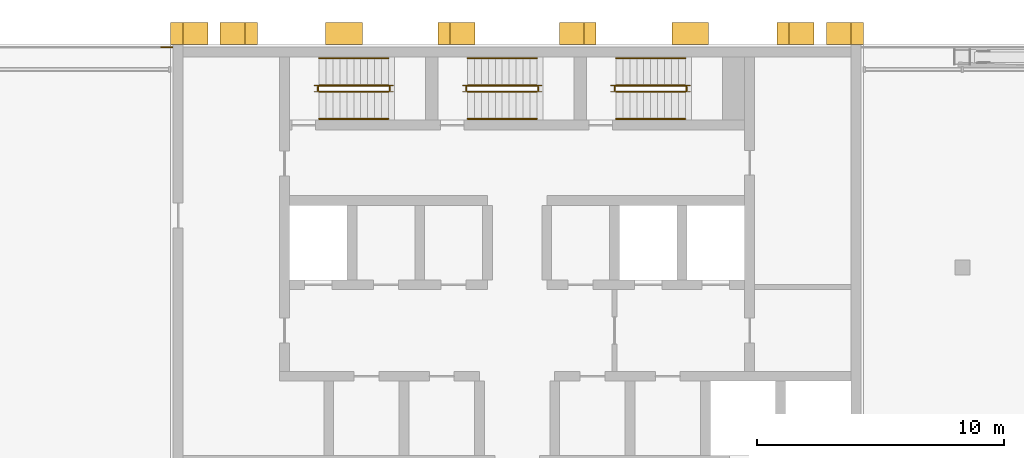
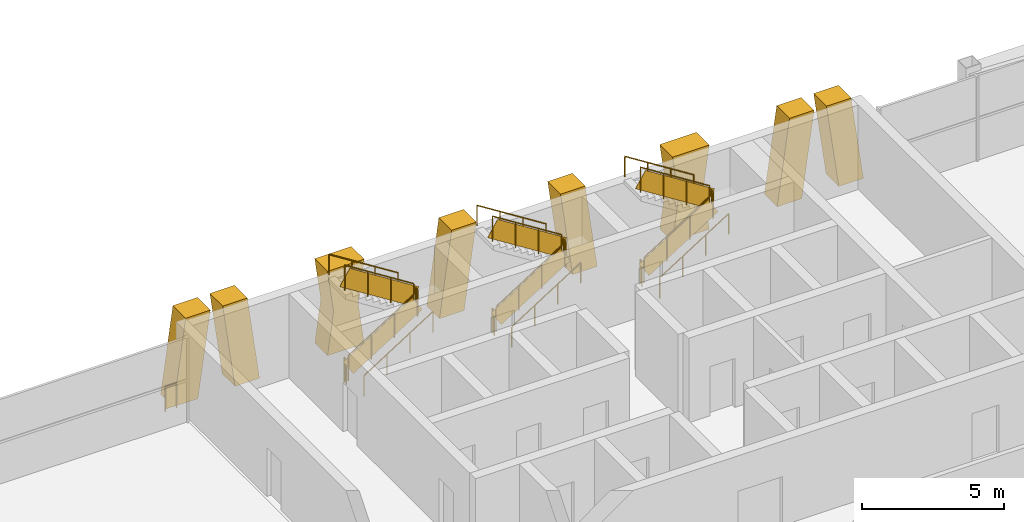
# One storey, part 20 of 21: 19 railings, 8 shading devices.
"""IFC4 building model written with IfcOpenShell, lengths in metres."""

from ifc_helpers import new_model, si_unit, direction, frame, origin, origin_2d, place, context, subcontext, project, spatial, polyline, rectangle, circle, outline, extrude, material, layer, layer_set, type_object, element, save


model = new_model("IFC4")

# Units and contexts
model_context = context("Model", 3, precision=1e-05, world=origin(), true_north=direction((0.0, 1.0)))
body_context = subcontext(model_context, "Body", "Model", "MODEL_VIEW")
ifc_project = project(units=[si_unit("LENGTHUNIT", "METRE"), si_unit("AREAUNIT", "SQUARE_METRE"), si_unit("VOLUMEUNIT", "CUBIC_METRE"), si_unit("PLANEANGLEUNIT", "RADIAN"), si_unit("MASSUNIT", "GRAM", prefix="KILO")], contexts=[model_context])

# Site, building, storey
site_placement = place(None, origin())
site = spatial("IfcSite", under=ifc_project, at=site_placement, CompositionType="ELEMENT")
building_placement = place(site_placement, origin())
building = spatial("IfcBuilding", under=site, at=building_placement, Name="Vidyagriha Tower", CompositionType="ELEMENT")
storey_placement = place(building_placement, frame((0.0, 0.0, 203.699951171875)))
storey = spatial("IfcBuildingStorey", under=building, at=storey_placement, Name="L52", CompositionType="ELEMENT", Elevation=203.699951171875)

# Shading devices
ifc_material_1 = material(Name="Precast concrete C40/50 with brick facing", Category="concrete")
ifc_layer_1 = layer(ifc_material_1, 1.0)
ifc_layer_set_1 = layer_set([ifc_layer_1], Name="Precast concrete C40/50 with brick facing")
shading_device_type_1 = type_object("IfcShadingDeviceType", Name="Brick-faced rear rib arm leaning 8 degrees", PredefinedType="USERDEFINED", material=ifc_layer_set_1)
shading_device_1_placement = place(storey_placement, frame((14.0, 20.449951171875, 0.0), z_axis=(0.0, 0.0, 1.0), x_axis=(-1.0, 0.0, 0.0)))
element("IfcShadingDevice", 1, at=shading_device_1_placement, inside=storey, type_object=shading_device_type_1, Name="Rear rib arm L52 R08.1a", ObjectType="BLADE FIN", PredefinedType="USERDEFINED", context=body_context, shape_type="SweptSolid", body=[
    extrude(outline(polyline([(0.0, 0.0), (1.0, 0.0), (1.5, 3.6201171875), (0.5, 3.6201171875), (0.0, 0.0)])), frame((0.0, 0.449951171875, 0.0), z_axis=(0.0, -1.0, 0.0), x_axis=(1.0, 0.0, 0.0)), (0.0, 0.0, 1.0), 0.89990234375),
])
shading_device_2_placement = place(storey_placement, frame((12.0, 20.449951171875, 0.0), z_axis=(0.0, 0.0, 1.0), x_axis=(-1.0, 0.0, 0.0)))
element("IfcShadingDevice", 2, at=shading_device_2_placement, inside=storey, type_object=shading_device_type_1, Name="Rear rib arm L52 R08.1b", ObjectType="BLADE FIN", PredefinedType="USERDEFINED", context=body_context, shape_type="SweptSolid", body=[
    extrude(outline(polyline([(0.5, 0.0), (1.5, 0.0), (1.0, 3.6201171875), (0.0, 3.6201171875), (0.5, 0.0)])), frame((0.0, 0.449951171875, 0.0), z_axis=(0.0, -1.0, 0.0), x_axis=(1.0, 0.0, 0.0)), (0.0, 0.0, 1.0), 0.89990234375),
])
shading_device_3_placement = place(storey_placement, frame((3.199951171875, 20.449951171875, 0.0), z_axis=(0.0, 0.0, 1.0), x_axis=(-1.0, 0.0, 0.0)))
element("IfcShadingDevice", 3, at=shading_device_3_placement, inside=storey, type_object=shading_device_type_1, Name="Rear rib arm L52 R08.3a", ObjectType="BLADE FIN", PredefinedType="USERDEFINED", context=body_context, shape_type="SweptSolid", body=[
    extrude(outline(polyline([(0.0, 0.0), (1.0, 0.0), (1.490966796875, 3.6201171875), (0.490966796875, 3.6201171875), (0.0, 0.0)])), frame((0.0, 0.449951171875, 0.0), z_axis=(0.0, -1.0, 0.0), x_axis=(1.0, 0.0, 0.0)), (0.0, 0.0, 1.0), 0.89990234375),
])
shading_device_4_placement = place(storey_placement, frame((-1.708984375, 20.449951171875, 0.0), z_axis=(0.0, 0.0, 1.0), x_axis=(-1.0, 0.0, 0.0)))
element("IfcShadingDevice", 4, at=shading_device_4_placement, inside=storey, type_object=shading_device_type_1, Name="Rear rib arm L52 R08.3b", ObjectType="BLADE FIN", PredefinedType="USERDEFINED", context=body_context, shape_type="SweptSolid", body=[
    extrude(outline(polyline([(0.490966796875, 0.0), (1.490966796875, 0.0), (1.0, 3.6201171875), (0.0, 3.6201171875), (0.490966796875, 0.0)])), frame((0.0, 0.449951171875, 0.0), z_axis=(0.0, -1.0, 0.0), x_axis=(1.0, 0.0, 0.0)), (0.0, 0.0, 1.0), 0.89990234375),
])
shading_device_5_placement = place(storey_placement, frame((-10.5, 20.449951171875, 0.0), z_axis=(0.0, 0.0, 1.0), x_axis=(-1.0, 0.0, 0.0)))
element("IfcShadingDevice", 5, at=shading_device_5_placement, inside=storey, type_object=shading_device_type_1, Name="Rear rib arm L52 R08.5a", ObjectType="BLADE FIN", PredefinedType="USERDEFINED", context=body_context, shape_type="SweptSolid", body=[
    extrude(outline(polyline([(0.0, 0.0), (1.0, 0.0), (1.5, 3.6201171875), (0.5, 3.6201171875), (0.0, 0.0)])), frame((0.0, 0.449951171875, 0.0), z_axis=(0.0, -1.0, 0.0), x_axis=(1.0, 0.0, 0.0)), (0.0, 0.0, 1.0), 0.89990234375),
])
shading_device_6_placement = place(storey_placement, frame((-12.5, 20.449951171875, 0.0), z_axis=(0.0, 0.0, 1.0), x_axis=(-1.0, 0.0, 0.0)))
element("IfcShadingDevice", 6, at=shading_device_6_placement, inside=storey, type_object=shading_device_type_1, Name="Rear rib arm L52 R08.5b", ObjectType="BLADE FIN", PredefinedType="USERDEFINED", context=body_context, shape_type="SweptSolid", body=[
    extrude(outline(polyline([(0.5, 0.0), (1.5, 0.0), (1.0, 3.6201171875), (0.0, 3.6201171875), (0.5, 0.0)])), frame((0.0, 0.449951171875, 0.0), z_axis=(0.0, -1.0, 0.0), x_axis=(1.0, 0.0, 0.0)), (0.0, 0.0, 1.0), 0.89990234375),
])
ifc_material_2 = material(Name="Precast concrete C40/50 with brick facing", Category="concrete")
ifc_layer_2 = layer(ifc_material_2, 1.0)
ifc_layer_set_2 = layer_set([ifc_layer_2], Name="Precast concrete C40/50 with brick facing")
shading_device_type_2 = type_object("IfcShadingDeviceType", Name="Brick-faced rear rib forking 8 degrees", PredefinedType="USERDEFINED", material=ifc_layer_set_2)
for number, where, z_axis, x_axis, name in (
    (7, (7.74560546875, 20.449951171875, 0.0), (0.0, 0.0, 1.0), (-1.0, 0.0, 0.0), "Rear rib fork L52 R08.2a"),
    (8, (-6.25439453125, 20.449951171875, 0.0), (0.0, 0.0, 1.0), (-1.0, 0.0, 0.0), "Rear rib fork L52 R08.4a"),
):
    element("IfcShadingDevice", number, at=place(storey_placement, frame(where, z_axis=z_axis, x_axis=x_axis)), inside=storey, type_object=shading_device_type_2, Name=name, ObjectType="BLADE FIN", PredefinedType="USERDEFINED", context=body_context, shape_type="SweptSolid", body=[
        extrude(outline(polyline([(0.0, 0.0), (1.490966796875, 0.0), (1.24560546875, 1.81005859375), (1.490966796875, 3.6201171875), (0.0, 3.6201171875), (0.24560546875, 1.81005859375), (0.0, 0.0)])), frame((0.0, 0.449951171875, 0.0), z_axis=(0.0, -1.0, 0.0), x_axis=(1.0, 0.0, 0.0)), (0.0, 0.0, 1.0), 0.89990234375),
    ])

# Railings
ifc_material_3 = material(Name="Steel ASTM A500 Grade C black painted", Category="steel")
railing_type_1 = type_object("IfcRailingType", Name="Gallery guard 1100", PredefinedType="GUARDRAIL", material=ifc_material_3)
railing_1_placement = place(storey_placement, frame((-14.389892578125, 19.89990234375, 0.0)))
element("IfcRailing", 9, at=railing_1_placement, inside=storey, type_object=railing_type_1, Name="Gallery guard L52 10", PredefinedType="GUARDRAIL", context=body_context, shape_type="SweptSolid", body=[
    extrude(circle(Radius=0.02490234375, at=origin_2d()), frame((0.0, 0.0, 1.0751953125), z_axis=(1.0, 0.0, 0.0), x_axis=(0.0, 1.0, 0.0)), (0.0, 0.0, 1.0), 0.4599609375),
    extrude(circle(Radius=0.02001953125, at=origin_2d()), origin(), (0.0, 0.0, 1.0), 1.050048828125),
    extrude(circle(Radius=0.02001953125, at=origin_2d()), frame((0.4599609375, 0.0, 0.0)), (0.0, 0.0, 1.0), 1.050048828125),
    extrude(rectangle(XDim=0.010009765625, YDim=0.900146484375, at=origin_2d()), frame((0.0, 0.0, 0.550048828125), z_axis=(1.0, 0.0, 0.0), x_axis=(0.0, 1.0, 0.0)), (0.0, 0.0, 1.0), 0.4599609375),
])
ifc_material_4 = material(Name="Steel ASTM A500 Grade C", Category="steel")
railing_type_2 = type_object("IfcRailingType", Name="Stair guard 1100 mm, steel balustrade", PredefinedType="GUARDRAIL", material=ifc_material_4)
railing_2_placement = place(storey_placement, frame((-8.0, 18.10009765625, 0.17724609375)))
element("IfcRailing", 10, at=railing_2_placement, inside=storey, type_object=railing_type_2, Name="L52 ST1 stair guard 1", PredefinedType="GUARDRAIL", context=body_context, shape_type="SweptSolid", body=[
    extrude(circle(Radius=0.02392578125, at=origin_2d()), frame((0.0, 0.0, 1.076171875), z_axis=(0.844908973607, 0.0, 0.534910110503), x_axis=(0.0, 1.0, 0.0)), (0.0, 0.0, 1.0), 3.31396484375),
    extrude(circle(Radius=0.02099609375, at=origin_2d()), origin(), (0.0, 0.0, 1.0), 1.052001953125),
    extrude(circle(Radius=0.02099609375, at=origin_2d()), frame((0.933349609375, 0.0, 0.5908203125)), (0.0, 0.0, 1.0), 1.052001953125),
    extrude(circle(Radius=0.02099609375, at=origin_2d()), frame((1.86669921875, 0.0, 1.181884765625)), (0.0, 0.0, 1.0), 1.052001953125),
    extrude(circle(Radius=0.02099609375, at=origin_2d()), frame((2.800048828125, 0.0, 1.772705078125)), (0.0, 0.0, 1.0), 1.052001953125),
    extrude(rectangle(XDim=0.010009765625, YDim=0.76220703125, at=origin_2d()), frame((0.0, 0.0, 0.551025390625), z_axis=(0.844908973607, 0.0, 0.534910110503), x_axis=(0.0, 1.0, 0.0)), (0.0, 0.0, 1.0), 3.31396484375),
])
railing_3_placement = place(storey_placement, frame((-5.14990234375, 18.14990234375, 1.949951171875)))
element("IfcRailing", 11, at=railing_3_placement, inside=storey, type_object=railing_type_2, Name="L52 ST1 stair guard 2", PredefinedType="GUARDRAIL", context=body_context, shape_type="SweptSolid", body=[
    extrude(circle(Radius=0.02392578125, at=origin_2d()), frame((0.0, 0.0, 1.076171875), z_axis=(0.0, 1.0, 0.0), x_axis=(-1.0, 0.0, 0.0)), (0.0, 0.0, 1.0), 0.150146484375),
    extrude(circle(Radius=0.02099609375, at=origin_2d()), origin(), (0.0, 0.0, 1.0), 1.052001953125),
    extrude(circle(Radius=0.02099609375, at=origin_2d()), frame((0.0, 0.150146484375, 0.0)), (0.0, 0.0, 1.0), 1.052001953125),
    extrude(rectangle(XDim=0.010009765625, YDim=0.902099609375, at=origin_2d()), frame((0.0, 0.0, 0.551025390625), z_axis=(0.0, 1.0, 0.0), x_axis=(-1.0, 0.0, 0.0)), (0.0, 0.0, 1.0), 0.150146484375),
])
railing_4_placement = place(storey_placement, frame((-5.199951171875, 18.35009765625, 2.12744140625)))
element("IfcRailing", 12, at=railing_4_placement, inside=storey, type_object=railing_type_2, Name="L52 ST1 stair guard 3", PredefinedType="GUARDRAIL", context=body_context, shape_type="SweptSolid", body=[
    extrude(circle(Radius=0.02392578125, at=origin_2d()), frame((0.0, 0.0, 1.076171875), z_axis=(-0.844908973607, 0.0, 0.534910110503), x_axis=(0.0, -1.0, 0.0)), (0.0, 0.0, 1.0), 3.31396484375),
    extrude(circle(Radius=0.02099609375, at=origin_2d()), origin(), (0.0, 0.0, 1.0), 1.052001953125),
    extrude(circle(Radius=0.02099609375, at=origin_2d()), frame((-0.933349609375, 0.0, 0.5908203125)), (0.0, 0.0, 1.0), 1.052001953125),
    extrude(circle(Radius=0.02099609375, at=origin_2d()), frame((-1.86669921875, 0.0, 1.181884765625)), (0.0, 0.0, 1.0), 1.052001953125),
    extrude(circle(Radius=0.02099609375, at=origin_2d()), frame((-2.800048828125, 0.0, 1.772705078125)), (0.0, 0.0, 1.0), 1.052001953125),
    extrude(rectangle(XDim=0.010009765625, YDim=0.76220703125, at=origin_2d()), frame((0.0, 0.0, 0.551025390625), z_axis=(-0.844908973607, 0.0, 0.534910110503), x_axis=(0.0, -1.0, 0.0)), (0.0, 0.0, 1.0), 3.31396484375),
])
railing_5_placement = place(storey_placement, frame((-8.050048828125, 18.14990234375, 0.0)))
element("IfcRailing", 13, at=railing_5_placement, inside=storey, type_object=railing_type_2, Name="L52 ST1 stair guard 4", PredefinedType="GUARDRAIL", context=body_context, shape_type="SweptSolid", body=[
    extrude(circle(Radius=0.02392578125, at=origin_2d()), frame((0.0, 0.0, 1.076171875), z_axis=(0.0, 1.0, 0.0), x_axis=(-1.0, 0.0, 0.0)), (0.0, 0.0, 1.0), 0.150146484375),
    extrude(circle(Radius=0.02099609375, at=origin_2d()), origin(), (0.0, 0.0, 1.0), 1.052001953125),
    extrude(circle(Radius=0.02099609375, at=origin_2d()), frame((0.0, 0.150146484375, 0.0)), (0.0, 0.0, 1.0), 1.052001953125),
    extrude(rectangle(XDim=0.010009765625, YDim=0.902099609375, at=origin_2d()), frame((0.0, 0.0, 0.551025390625), z_axis=(0.0, 1.0, 0.0), x_axis=(-1.0, 0.0, 0.0)), (0.0, 0.0, 1.0), 0.150146484375),
])
railing_6_placement = place(storey_placement, frame((-2.0, 18.10009765625, 0.17724609375)))
element("IfcRailing", 14, at=railing_6_placement, inside=storey, type_object=railing_type_2, Name="L52 ST2 stair guard 1", PredefinedType="GUARDRAIL", context=body_context, shape_type="SweptSolid", body=[
    extrude(circle(Radius=0.02392578125, at=origin_2d()), frame((0.0, 0.0, 1.076171875), z_axis=(0.844908973607, 0.0, 0.534910110503), x_axis=(0.0, 1.0, 0.0)), (0.0, 0.0, 1.0), 3.31396484375),
    extrude(circle(Radius=0.02099609375, at=origin_2d()), origin(), (0.0, 0.0, 1.0), 1.052001953125),
    extrude(circle(Radius=0.02099609375, at=origin_2d()), frame((0.933349609375, 0.0, 0.5908203125)), (0.0, 0.0, 1.0), 1.052001953125),
    extrude(circle(Radius=0.02099609375, at=origin_2d()), frame((1.86669921875, 0.0, 1.181884765625)), (0.0, 0.0, 1.0), 1.052001953125),
    extrude(circle(Radius=0.02099609375, at=origin_2d()), frame((2.800048828125, 0.0, 1.772705078125)), (0.0, 0.0, 1.0), 1.052001953125),
    extrude(rectangle(XDim=0.010009765625, YDim=0.76220703125, at=origin_2d()), frame((0.0, 0.0, 0.551025390625), z_axis=(0.844908973607, 0.0, 0.534910110503), x_axis=(0.0, 1.0, 0.0)), (0.0, 0.0, 1.0), 3.31396484375),
])
railing_7_placement = place(storey_placement, frame((0.85009765625, 18.14990234375, 1.949951171875)))
element("IfcRailing", 15, at=railing_7_placement, inside=storey, type_object=railing_type_2, Name="L52 ST2 stair guard 2", PredefinedType="GUARDRAIL", context=body_context, shape_type="SweptSolid", body=[
    extrude(circle(Radius=0.02392578125, at=origin_2d()), frame((0.0, 0.0, 1.076171875), z_axis=(0.0, 1.0, 0.0), x_axis=(-1.0, 0.0, 0.0)), (0.0, 0.0, 1.0), 0.150146484375),
    extrude(circle(Radius=0.02099609375, at=origin_2d()), origin(), (0.0, 0.0, 1.0), 1.052001953125),
    extrude(circle(Radius=0.02099609375, at=origin_2d()), frame((0.0, 0.150146484375, 0.0)), (0.0, 0.0, 1.0), 1.052001953125),
    extrude(rectangle(XDim=0.010009765625, YDim=0.902099609375, at=origin_2d()), frame((0.0, 0.0, 0.551025390625), z_axis=(0.0, 1.0, 0.0), x_axis=(-1.0, 0.0, 0.0)), (0.0, 0.0, 1.0), 0.150146484375),
])
railing_8_placement = place(storey_placement, frame((0.800048828125, 18.35009765625, 2.12744140625)))
element("IfcRailing", 16, at=railing_8_placement, inside=storey, type_object=railing_type_2, Name="L52 ST2 stair guard 3", PredefinedType="GUARDRAIL", context=body_context, shape_type="SweptSolid", body=[
    extrude(circle(Radius=0.02392578125, at=origin_2d()), frame((0.0, 0.0, 1.076171875), z_axis=(-0.844908973607, 0.0, 0.534910110503), x_axis=(0.0, -1.0, 0.0)), (0.0, 0.0, 1.0), 3.31396484375),
    extrude(circle(Radius=0.02099609375, at=origin_2d()), origin(), (0.0, 0.0, 1.0), 1.052001953125),
    extrude(circle(Radius=0.02099609375, at=origin_2d()), frame((-0.933349609375, 0.0, 0.5908203125)), (0.0, 0.0, 1.0), 1.052001953125),
    extrude(circle(Radius=0.02099609375, at=origin_2d()), frame((-1.86669921875, 0.0, 1.181884765625)), (0.0, 0.0, 1.0), 1.052001953125),
    extrude(circle(Radius=0.02099609375, at=origin_2d()), frame((-2.800048828125, 0.0, 1.772705078125)), (0.0, 0.0, 1.0), 1.052001953125),
    extrude(rectangle(XDim=0.010009765625, YDim=0.76220703125, at=origin_2d()), frame((0.0, 0.0, 0.551025390625), z_axis=(-0.844908973607, 0.0, 0.534910110503), x_axis=(0.0, -1.0, 0.0)), (0.0, 0.0, 1.0), 3.31396484375),
])
railing_9_placement = place(storey_placement, frame((-2.050048828125, 18.14990234375, 0.0)))
element("IfcRailing", 17, at=railing_9_placement, inside=storey, type_object=railing_type_2, Name="L52 ST2 stair guard 4", PredefinedType="GUARDRAIL", context=body_context, shape_type="SweptSolid", body=[
    extrude(circle(Radius=0.02392578125, at=origin_2d()), frame((0.0, 0.0, 1.076171875), z_axis=(0.0, 1.0, 0.0), x_axis=(-1.0, 0.0, 0.0)), (0.0, 0.0, 1.0), 0.150146484375),
    extrude(circle(Radius=0.02099609375, at=origin_2d()), origin(), (0.0, 0.0, 1.0), 1.052001953125),
    extrude(circle(Radius=0.02099609375, at=origin_2d()), frame((0.0, 0.150146484375, 0.0)), (0.0, 0.0, 1.0), 1.052001953125),
    extrude(rectangle(XDim=0.010009765625, YDim=0.902099609375, at=origin_2d()), frame((0.0, 0.0, 0.551025390625), z_axis=(0.0, 1.0, 0.0), x_axis=(-1.0, 0.0, 0.0)), (0.0, 0.0, 1.0), 0.150146484375),
])
railing_10_placement = place(storey_placement, frame((4.0, 18.10009765625, 0.17724609375)))
element("IfcRailing", 18, at=railing_10_placement, inside=storey, type_object=railing_type_2, Name="L52 ST3 stair guard 1", PredefinedType="GUARDRAIL", context=body_context, shape_type="SweptSolid", body=[
    extrude(circle(Radius=0.02392578125, at=origin_2d()), frame((0.0, 0.0, 1.076171875), z_axis=(0.844908973607, 0.0, 0.534910110503), x_axis=(0.0, 1.0, 0.0)), (0.0, 0.0, 1.0), 3.31396484375),
    extrude(circle(Radius=0.02099609375, at=origin_2d()), origin(), (0.0, 0.0, 1.0), 1.052001953125),
    extrude(circle(Radius=0.02099609375, at=origin_2d()), frame((0.933349609375, 0.0, 0.5908203125)), (0.0, 0.0, 1.0), 1.052001953125),
    extrude(circle(Radius=0.02099609375, at=origin_2d()), frame((1.86669921875, 0.0, 1.181884765625)), (0.0, 0.0, 1.0), 1.052001953125),
    extrude(circle(Radius=0.02099609375, at=origin_2d()), frame((2.800048828125, 0.0, 1.772705078125)), (0.0, 0.0, 1.0), 1.052001953125),
    extrude(rectangle(XDim=0.010009765625, YDim=0.76220703125, at=origin_2d()), frame((0.0, 0.0, 0.551025390625), z_axis=(0.844908973607, 0.0, 0.534910110503), x_axis=(0.0, 1.0, 0.0)), (0.0, 0.0, 1.0), 3.31396484375),
])
railing_11_placement = place(storey_placement, frame((6.85009765625, 18.14990234375, 1.949951171875)))
element("IfcRailing", 19, at=railing_11_placement, inside=storey, type_object=railing_type_2, Name="L52 ST3 stair guard 2", PredefinedType="GUARDRAIL", context=body_context, shape_type="SweptSolid", body=[
    extrude(circle(Radius=0.02392578125, at=origin_2d()), frame((0.0, 0.0, 1.076171875), z_axis=(0.0, 1.0, 0.0), x_axis=(-1.0, 0.0, 0.0)), (0.0, 0.0, 1.0), 0.150146484375),
    extrude(circle(Radius=0.02099609375, at=origin_2d()), origin(), (0.0, 0.0, 1.0), 1.052001953125),
    extrude(circle(Radius=0.02099609375, at=origin_2d()), frame((0.0, 0.150146484375, 0.0)), (0.0, 0.0, 1.0), 1.052001953125),
    extrude(rectangle(XDim=0.010009765625, YDim=0.902099609375, at=origin_2d()), frame((0.0, 0.0, 0.551025390625), z_axis=(0.0, 1.0, 0.0), x_axis=(-1.0, 0.0, 0.0)), (0.0, 0.0, 1.0), 0.150146484375),
])
railing_12_placement = place(storey_placement, frame((6.800048828125, 18.35009765625, 2.12744140625)))
element("IfcRailing", 20, at=railing_12_placement, inside=storey, type_object=railing_type_2, Name="L52 ST3 stair guard 3", PredefinedType="GUARDRAIL", context=body_context, shape_type="SweptSolid", body=[
    extrude(circle(Radius=0.02392578125, at=origin_2d()), frame((0.0, 0.0, 1.076171875), z_axis=(-0.844908973607, 0.0, 0.534910110503), x_axis=(0.0, -1.0, 0.0)), (0.0, 0.0, 1.0), 3.31396484375),
    extrude(circle(Radius=0.02099609375, at=origin_2d()), origin(), (0.0, 0.0, 1.0), 1.052001953125),
    extrude(circle(Radius=0.02099609375, at=origin_2d()), frame((-0.933349609375, 0.0, 0.5908203125)), (0.0, 0.0, 1.0), 1.052001953125),
    extrude(circle(Radius=0.02099609375, at=origin_2d()), frame((-1.86669921875, 0.0, 1.181884765625)), (0.0, 0.0, 1.0), 1.052001953125),
    extrude(circle(Radius=0.02099609375, at=origin_2d()), frame((-2.800048828125, 0.0, 1.772705078125)), (0.0, 0.0, 1.0), 1.052001953125),
    extrude(rectangle(XDim=0.010009765625, YDim=0.76220703125, at=origin_2d()), frame((0.0, 0.0, 0.551025390625), z_axis=(-0.844908973607, 0.0, 0.534910110503), x_axis=(0.0, -1.0, 0.0)), (0.0, 0.0, 1.0), 3.31396484375),
])
railing_13_placement = place(storey_placement, frame((3.949951171875, 18.14990234375, 0.0)))
element("IfcRailing", 21, at=railing_13_placement, inside=storey, type_object=railing_type_2, Name="L52 ST3 stair guard 4", PredefinedType="GUARDRAIL", context=body_context, shape_type="SweptSolid", body=[
    extrude(circle(Radius=0.02392578125, at=origin_2d()), frame((0.0, 0.0, 1.076171875), z_axis=(0.0, 1.0, 0.0), x_axis=(-1.0, 0.0, 0.0)), (0.0, 0.0, 1.0), 0.150146484375),
    extrude(circle(Radius=0.02099609375, at=origin_2d()), origin(), (0.0, 0.0, 1.0), 1.052001953125),
    extrude(circle(Radius=0.02099609375, at=origin_2d()), frame((0.0, 0.150146484375, 0.0)), (0.0, 0.0, 1.0), 1.052001953125),
    extrude(rectangle(XDim=0.010009765625, YDim=0.902099609375, at=origin_2d()), frame((0.0, 0.0, 0.551025390625), z_axis=(0.0, 1.0, 0.0), x_axis=(-1.0, 0.0, 0.0)), (0.0, 0.0, 1.0), 0.150146484375),
])
ifc_material_5 = material(Name="Steel ASTM A500 Grade C", Category="steel")
railing_type_3 = type_object("IfcRailingType", Name="Stair handrail 900 mm, steel", PredefinedType="HANDRAIL", material=ifc_material_5)
railing_14_placement = place(storey_placement, frame((-8.0, 17.0, 0.17724609375)))
element("IfcRailing", 22, at=railing_14_placement, inside=storey, type_object=railing_type_3, Name="L52 ST1 stair handrail 1", PredefinedType="HANDRAIL", context=body_context, shape_type="SweptSolid", body=[
    extrude(circle(Radius=0.02392578125, at=origin_2d()), frame((0.0, 0.0, 0.8759765625), z_axis=(0.844908973607, 0.0, 0.534910110503), x_axis=(0.0, 1.0, 0.0)), (0.0, 0.0, 1.0), 3.31396484375),
    extrude(circle(Radius=0.02099609375, at=origin_2d()), origin(), (0.0, 0.0, 1.0), 0.851806640625),
    extrude(circle(Radius=0.02099609375, at=origin_2d()), frame((0.933349609375, 0.0, 0.5908203125)), (0.0, 0.0, 1.0), 0.851806640625),
    extrude(circle(Radius=0.02099609375, at=origin_2d()), frame((1.86669921875, 0.0, 1.181884765625)), (0.0, 0.0, 1.0), 0.851806640625),
    extrude(circle(Radius=0.02099609375, at=origin_2d()), frame((2.800048828125, 0.0, 1.772705078125)), (0.0, 0.0, 1.0), 0.851806640625),
])
railing_15_placement = place(storey_placement, frame((-5.199951171875, 19.449951171875, 2.12744140625)))
element("IfcRailing", 23, at=railing_15_placement, inside=storey, type_object=railing_type_3, Name="L52 ST1 stair handrail 2", PredefinedType="HANDRAIL", context=body_context, shape_type="SweptSolid", body=[
    extrude(circle(Radius=0.02392578125, at=origin_2d()), frame((0.0, 0.0, 0.8759765625), z_axis=(-0.844908973607, 0.0, 0.534910110503), x_axis=(0.0, -1.0, 0.0)), (0.0, 0.0, 1.0), 3.31396484375),
    extrude(circle(Radius=0.02099609375, at=origin_2d()), origin(), (0.0, 0.0, 1.0), 0.851806640625),
    extrude(circle(Radius=0.02099609375, at=origin_2d()), frame((-0.933349609375, 0.0, 0.5908203125)), (0.0, 0.0, 1.0), 0.851806640625),
    extrude(circle(Radius=0.02099609375, at=origin_2d()), frame((-1.86669921875, 0.0, 1.181884765625)), (0.0, 0.0, 1.0), 0.851806640625),
    extrude(circle(Radius=0.02099609375, at=origin_2d()), frame((-2.800048828125, 0.0, 1.772705078125)), (0.0, 0.0, 1.0), 0.851806640625),
])
railing_16_placement = place(storey_placement, frame((-2.0, 17.0, 0.17724609375)))
element("IfcRailing", 24, at=railing_16_placement, inside=storey, type_object=railing_type_3, Name="L52 ST2 stair handrail 1", PredefinedType="HANDRAIL", context=body_context, shape_type="SweptSolid", body=[
    extrude(circle(Radius=0.02392578125, at=origin_2d()), frame((0.0, 0.0, 0.8759765625), z_axis=(0.844908973607, 0.0, 0.534910110503), x_axis=(0.0, 1.0, 0.0)), (0.0, 0.0, 1.0), 3.31396484375),
    extrude(circle(Radius=0.02099609375, at=origin_2d()), origin(), (0.0, 0.0, 1.0), 0.851806640625),
    extrude(circle(Radius=0.02099609375, at=origin_2d()), frame((0.933349609375, 0.0, 0.5908203125)), (0.0, 0.0, 1.0), 0.851806640625),
    extrude(circle(Radius=0.02099609375, at=origin_2d()), frame((1.86669921875, 0.0, 1.181884765625)), (0.0, 0.0, 1.0), 0.851806640625),
    extrude(circle(Radius=0.02099609375, at=origin_2d()), frame((2.800048828125, 0.0, 1.772705078125)), (0.0, 0.0, 1.0), 0.851806640625),
])
railing_17_placement = place(storey_placement, frame((0.800048828125, 19.449951171875, 2.12744140625)))
element("IfcRailing", 25, at=railing_17_placement, inside=storey, type_object=railing_type_3, Name="L52 ST2 stair handrail 2", PredefinedType="HANDRAIL", context=body_context, shape_type="SweptSolid", body=[
    extrude(circle(Radius=0.02392578125, at=origin_2d()), frame((0.0, 0.0, 0.8759765625), z_axis=(-0.844908973607, 0.0, 0.534910110503), x_axis=(0.0, -1.0, 0.0)), (0.0, 0.0, 1.0), 3.31396484375),
    extrude(circle(Radius=0.02099609375, at=origin_2d()), origin(), (0.0, 0.0, 1.0), 0.851806640625),
    extrude(circle(Radius=0.02099609375, at=origin_2d()), frame((-0.933349609375, 0.0, 0.5908203125)), (0.0, 0.0, 1.0), 0.851806640625),
    extrude(circle(Radius=0.02099609375, at=origin_2d()), frame((-1.86669921875, 0.0, 1.181884765625)), (0.0, 0.0, 1.0), 0.851806640625),
    extrude(circle(Radius=0.02099609375, at=origin_2d()), frame((-2.800048828125, 0.0, 1.772705078125)), (0.0, 0.0, 1.0), 0.851806640625),
])
railing_18_placement = place(storey_placement, frame((4.0, 17.0, 0.17724609375)))
element("IfcRailing", 26, at=railing_18_placement, inside=storey, type_object=railing_type_3, Name="L52 ST3 stair handrail 1", PredefinedType="HANDRAIL", context=body_context, shape_type="SweptSolid", body=[
    extrude(circle(Radius=0.02392578125, at=origin_2d()), frame((0.0, 0.0, 0.8759765625), z_axis=(0.844908973607, 0.0, 0.534910110503), x_axis=(0.0, 1.0, 0.0)), (0.0, 0.0, 1.0), 3.31396484375),
    extrude(circle(Radius=0.02099609375, at=origin_2d()), origin(), (0.0, 0.0, 1.0), 0.851806640625),
    extrude(circle(Radius=0.02099609375, at=origin_2d()), frame((0.933349609375, 0.0, 0.5908203125)), (0.0, 0.0, 1.0), 0.851806640625),
    extrude(circle(Radius=0.02099609375, at=origin_2d()), frame((1.86669921875, 0.0, 1.181884765625)), (0.0, 0.0, 1.0), 0.851806640625),
    extrude(circle(Radius=0.02099609375, at=origin_2d()), frame((2.800048828125, 0.0, 1.772705078125)), (0.0, 0.0, 1.0), 0.851806640625),
])
railing_19_placement = place(storey_placement, frame((6.800048828125, 19.449951171875, 2.12744140625)))
element("IfcRailing", 27, at=railing_19_placement, inside=storey, type_object=railing_type_3, Name="L52 ST3 stair handrail 2", PredefinedType="HANDRAIL", context=body_context, shape_type="SweptSolid", body=[
    extrude(circle(Radius=0.02392578125, at=origin_2d()), frame((0.0, 0.0, 0.8759765625), z_axis=(-0.844908973607, 0.0, 0.534910110503), x_axis=(0.0, -1.0, 0.0)), (0.0, 0.0, 1.0), 3.31396484375),
    extrude(circle(Radius=0.02099609375, at=origin_2d()), origin(), (0.0, 0.0, 1.0), 0.851806640625),
    extrude(circle(Radius=0.02099609375, at=origin_2d()), frame((-0.933349609375, 0.0, 0.5908203125)), (0.0, 0.0, 1.0), 0.851806640625),
    extrude(circle(Radius=0.02099609375, at=origin_2d()), frame((-1.86669921875, 0.0, 1.181884765625)), (0.0, 0.0, 1.0), 0.851806640625),
    extrude(circle(Radius=0.02099609375, at=origin_2d()), frame((-2.800048828125, 0.0, 1.772705078125)), (0.0, 0.0, 1.0), 0.851806640625),
])

save(model, "model.ifc")
